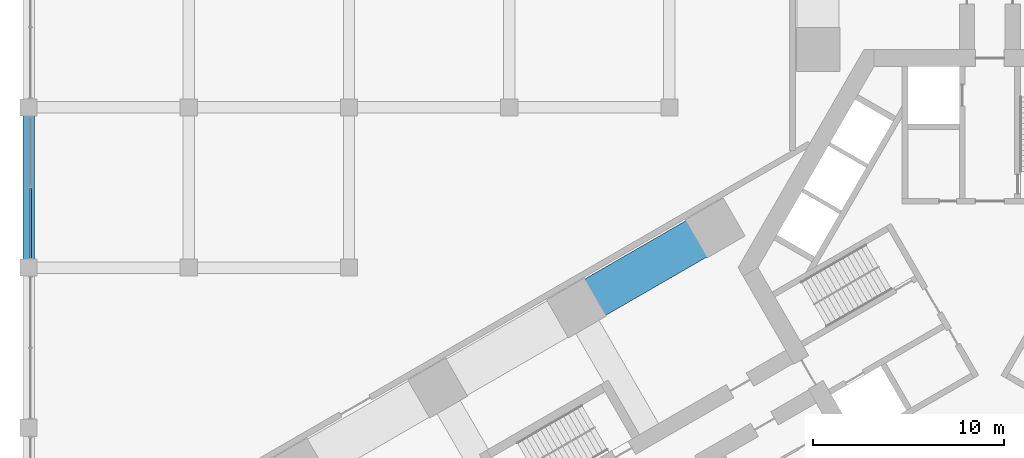
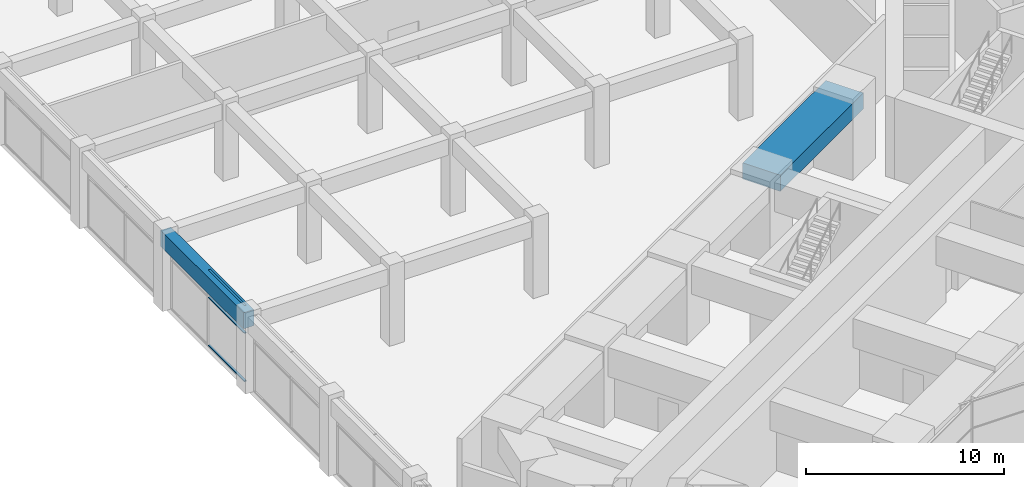
# One storey, part 6 of 34: 3 members, 2 beams, 1 element without a shape of its own.
"""IFC4 building model written with IfcOpenShell, lengths in metres."""

from ifc_helpers import new_model, si_unit, direction, frame, origin, origin_2d, place, context, subcontext, project, spatial, rectangle, extrude, material, material_profile, profile_set, type_object, element, aggregate, save


model = new_model("IFC4")

# Units and contexts
model_context = context("Model", 3, precision=1e-05, world=origin(), true_north=direction((0.0, 1.0)))
body_context = subcontext(model_context, "Body", "Model", "MODEL_VIEW")
ifc_project = project(units=[si_unit("LENGTHUNIT", "METRE"), si_unit("AREAUNIT", "SQUARE_METRE"), si_unit("VOLUMEUNIT", "CUBIC_METRE"), si_unit("PLANEANGLEUNIT", "RADIAN"), si_unit("MASSUNIT", "GRAM", prefix="KILO")], contexts=[model_context])

# Site, building, storey
site_placement = place(None, origin())
site = spatial("IfcSite", under=ifc_project, at=site_placement, CompositionType="ELEMENT")
building_placement = place(site_placement, origin())
building = spatial("IfcBuilding", under=site, at=building_placement, Name="Impinga Residences", CompositionType="ELEMENT")
storey_placement = place(building_placement, frame((0.0, 0.0, 11.0)))
storey = spatial("IfcBuildingStorey", under=building, at=storey_placement, Name="L02", CompositionType="ELEMENT", Elevation=11.0)

# Curtain wall, members
ifc_material_1 = material(Name="Aluminium stick curtain wall", Category="aluminium")
curtain_wall_type = type_object("IfcCurtainWallType", Name="CW1 podium amenity curtain wall", PredefinedType="USERDEFINED", material=ifc_material_1)
curtain_wall_placement = place(storey_placement, origin())
curtain_wall = element("IfcCurtainWall", 1, at=curtain_wall_placement, inside=storey, type_object=curtain_wall_type, Name="Curtain wall CW1 L02", ObjectType="STICK CURTAIN WALL", PredefinedType="USERDEFINED")
ifc_material_2 = material(Name="Aluminium transom", Category="aluminium")
ifc_material_profile_1 = material_profile(ifc_material_2, rectangle(XDim=0.06005859375, YDim=0.1201171875, at=origin_2d()), Name="60x120 transom")
ifc_profile_set_1 = profile_set([ifc_material_profile_1], Name="Aluminium transom")
member_type = type_object("IfcMemberType", Name="CW1-T transom 60x120", PredefinedType="USERDEFINED", material=ifc_profile_set_1)
member_1_placement = place(storey_placement, frame((-50.300048828125, 0.512939453125, 0.030029296875), z_axis=(0.0, 1.0, 0.0), x_axis=(0.0, 0.0, 1.0)))
member_1 = element("IfcMember", 2, at=member_1_placement, type_object=member_type, Name="CW1 transom 1.1", ObjectType="TRANSOM", PredefinedType="USERDEFINED", context=body_context, shape_type="SweptSolid", body=[
    extrude(rectangle(XDim=0.06005859375, YDim=0.1201171875, at=origin_2d()), origin(), (0.0, 0.0, 1.0), 3.656982421875),
])
member_2_placement = place(storey_placement, frame((-50.300048828125, 0.512939453125, 3.0), z_axis=(0.0, 1.0, 0.0), x_axis=(0.0, 0.0, 1.0)))
member_2 = element("IfcMember", 3, at=member_2_placement, type_object=member_type, Name="CW1 transom 1.2", ObjectType="TRANSOM", PredefinedType="USERDEFINED", context=body_context, shape_type="SweptSolid", body=[
    extrude(rectangle(XDim=0.06005859375, YDim=0.1201171875, at=origin_2d()), origin(), (0.0, 0.0, 1.0), 3.656982421875),
])
member_3_placement = place(storey_placement, frame((-50.300048828125, 0.512939453125, 4.669921875), z_axis=(0.0, 1.0, 0.0), x_axis=(0.0, 0.0, 1.0)))
member_3 = element("IfcMember", 4, at=member_3_placement, type_object=member_type, Name="CW1 transom 1.3", ObjectType="TRANSOM", PredefinedType="USERDEFINED", context=body_context, shape_type="SweptSolid", body=[
    extrude(rectangle(XDim=0.06005859375, YDim=0.1201171875, at=origin_2d()), origin(), (0.0, 0.0, 1.0), 3.656982421875),
])
aggregate(curtain_wall, [member_1, member_2, member_3])

# Beams
ifc_material_3 = material(Name="Concrete C60/75", Category="concrete")
ifc_material_profile_2 = material_profile(ifc_material_3, rectangle(XDim=0.60009765625, YDim=1.0, at=origin_2d()), Name="RC 600x1000")
ifc_profile_set_2 = profile_set([ifc_material_profile_2], Name="Concrete C60/75")
beam_type_1 = type_object("IfcBeamType", Name="PB2 600x1000 podium beam", PredefinedType="BEAM", material=ifc_profile_set_2)
beam_1_placement = place(storey_placement, frame((-50.39990234375, 0.0, 4.199951171875), z_axis=(0.0, 1.0, 0.0), x_axis=(-1.0, 0.0, 0.0)))
element("IfcBeam", 5, at=beam_1_placement, inside=storey, type_object=beam_type_1, Name="Beam PB2 1/F-G level L03", PredefinedType="BEAM", context=body_context, shape_type="SweptSolid", body=[
    extrude(rectangle(XDim=0.60009765625, YDim=1.0, at=origin_2d()), origin(), (0.0, 0.0, 1.0), 8.39990234375),
])
ifc_material_profile_3 = material_profile(ifc_material_3, rectangle(XDim=2.199951171875, YDim=1.0, at=origin_2d()), Name="RC 2200x1000")
ifc_profile_set_3 = profile_set([ifc_material_profile_3], Name="Concrete C60/75")
beam_type_2 = type_object("IfcBeamType", Name="PB3 2200x1000 podium band beam", PredefinedType="BEAM", material=ifc_profile_set_3)
beam_2_placement = place(storey_placement, frame((-14.39990234375, 2.078369140625, 4.199951171875), z_axis=(-0.86602925447, -0.499993330357, 0.0), x_axis=(0.499993330357, -0.86602925447, 0.0)))
element("IfcBeam", 6, at=beam_2_placement, inside=storey, type_object=beam_type_2, Name="Beam PB3 WF W1-W2 level L03", PredefinedType="BEAM", context=body_context, shape_type="SweptSolid", body=[
    extrude(rectangle(XDim=2.199951171875, YDim=1.0, at=origin_2d()), origin(), (0.0, 0.0, 1.0), 8.39990234375),
])

save(model, "model.ifc")
